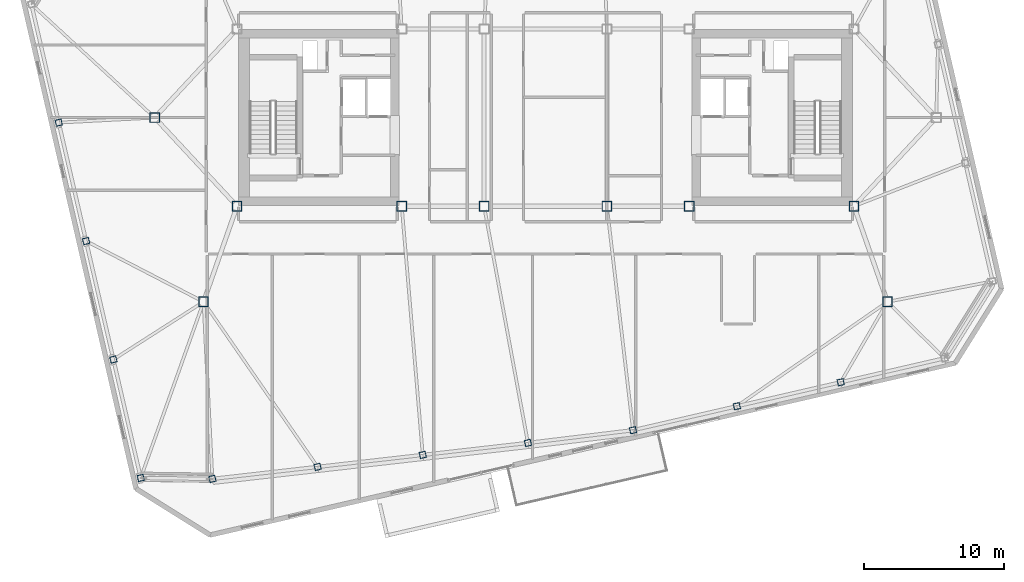
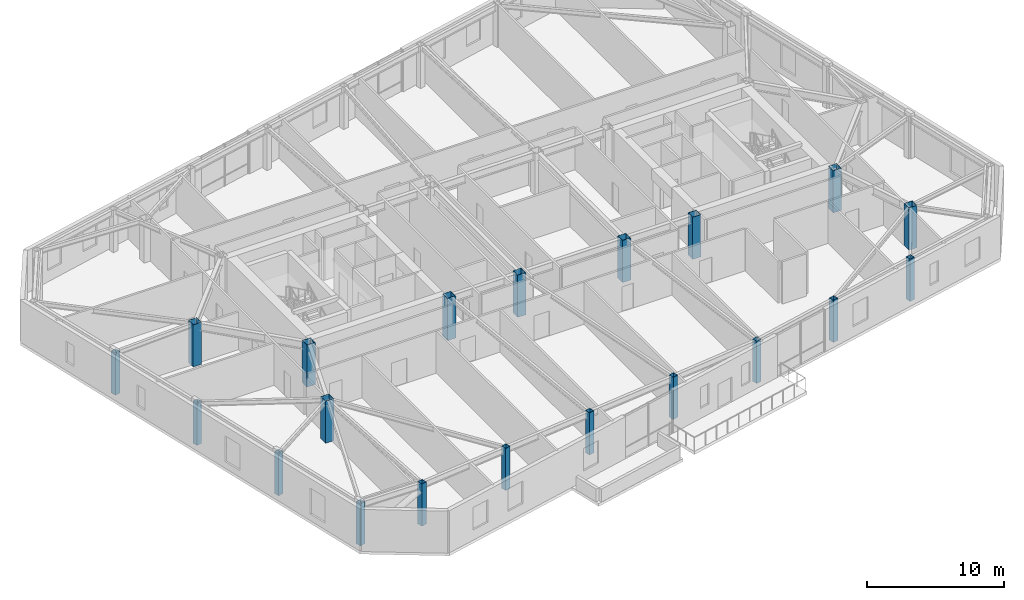
# One storey, part 1 of 23: 20 columns.
"""IFC4 building model written with IfcOpenShell, lengths in metres."""

from ifc_helpers import new_model, si_unit, direction, frame, origin, origin_2d, place, context, subcontext, project, spatial, hollow_rectangle, extrude, material, material_profile, profile_set, type_object, element, save


model = new_model("IFC4")

# Units and contexts
model_context = context("Model", 3, precision=1e-05, world=origin(), true_north=direction((0.0, 1.0)))
body_context = subcontext(model_context, "Body", "Model", "MODEL_VIEW")
ifc_project = project(units=[si_unit("LENGTHUNIT", "METRE"), si_unit("AREAUNIT", "SQUARE_METRE"), si_unit("VOLUMEUNIT", "CUBIC_METRE"), si_unit("PLANEANGLEUNIT", "RADIAN"), si_unit("MASSUNIT", "GRAM", prefix="KILO")], contexts=[model_context])

# Site, building, storey
site_placement = place(None, origin())
site = spatial("IfcSite", under=ifc_project, at=site_placement, CompositionType="ELEMENT")
building_placement = place(site_placement, origin())
building = spatial("IfcBuilding", under=site, at=building_placement, Name="Tavrogorsk Clinical Tower", CompositionType="ELEMENT")
storey_placement = place(building_placement, frame((0.0, 0.0, 289.0)))
storey = spatial("IfcBuildingStorey", under=building, at=storey_placement, Name="L67", CompositionType="ELEMENT", Elevation=289.0)

# Columns
ifc_material_1 = material(Name="Structural steel S440", Category="steel")
ifc_material_profile_1 = material_profile(ifc_material_1, hollow_rectangle(XDim=0.699951171875, YDim=0.699951171875, WallThickness=0.031982421875, at=origin_2d()), Name="BOX-700x700x32")
ifc_profile_set_1 = profile_set([ifc_material_profile_1], Name="Structural steel S440")
column_type_1 = type_object("IfcColumnType", Name="MegaCol_BOX700", PredefinedType="COLUMN", material=ifc_profile_set_1)
for number, where, z_axis, x_axis, name in (
    (1, (-22.10009765625, -6.35009765625, 0.0), (0.0, 0.0, 1.0), (1.0, 0.0, 0.0), "L67 Mega Column MC-W1"),
    (2, (-10.300048828125, -6.35009765625, 0.0), (0.0, 0.0, 1.0), (1.0, 0.0, 0.0), "L67 Mega Column MC-W3"),
    (3, (10.300048828125, -6.35009765625, 0.0), (0.0, 0.0, 1.0), (1.0, 0.0, 0.0), "L67 Mega Column MC-E1"),
    (4, (22.10009765625, -6.35009765625, 0.0), (0.0, 0.0, 1.0), (1.0, 0.0, 0.0), "L67 Mega Column MC-E3"),
    (5, (-4.39990234375, -6.35009765625, 0.0), (0.0, 0.0, 1.0), (1.0, 0.0, 0.0), "L67 Mega Column MC-C1"),
    (6, (4.39990234375, -6.35009765625, 0.0), (0.0, 0.0, 1.0), (1.0, 0.0, 0.0), "L67 Mega Column MC-C2"),
    (7, (-24.5, -13.199951171875, 0.0), (0.0, 0.0, 1.0), (1.0, 0.0, 0.0), "L67 Spine Pilotis Column MC-P1"),
    (8, (24.5, -13.199951171875, 0.0), (0.0, 0.0, 1.0), (1.0, 0.0, 0.0), "L67 Spine Pilotis Column MC-P2"),
    (9, (-28.0, 0.0, 0.0), (0.0, 0.0, 1.0), (1.0, 0.0, 0.0), "L67 Spine Pilotis Column MC-P5"),
):
    element("IfcColumn", number, at=place(storey_placement, frame(where, z_axis=z_axis, x_axis=x_axis)), inside=storey, type_object=column_type_1, Name=name, PredefinedType="COLUMN", context=body_context, shape_type="SweptSolid", body=[
        extrude(hollow_rectangle(XDim=0.699951171875, YDim=0.699951171875, WallThickness=0.031982421875, at=origin_2d()), origin(), (0.0, 0.0, 1.0), 3.739990234375),
    ])
ifc_material_2 = material(Name="Structural steel S440", Category="steel")
ifc_material_profile_2 = material_profile(ifc_material_2, hollow_rectangle(XDim=0.449951171875, YDim=0.449951171875, WallThickness=0.02197265625, at=origin_2d()), Name="BOX-450x450x22")
ifc_profile_set_2 = profile_set([ifc_material_profile_2], Name="Structural steel S440")
column_type_2 = type_object("IfcColumnType", Name="PerimCol_B5_BOX450", PredefinedType="COLUMN", material=ifc_profile_set_2)
for number, where, z_axis, x_axis, name in (
    (10, (-23.866943359375, -25.8857421875, 0.0), (0.0, 0.0, 1.0), (0.974370064785, 0.224951054344, 0.0), "L67 Perimeter Column S1"),
    (11, (-16.330322265625, -25.027099609375, 0.0), (0.0, 0.0, 1.0), (0.974370064785, 0.224951054344, 0.0), "L67 Perimeter Column S2"),
    (12, (-8.7939453125, -24.16845703125, 0.0), (0.0, 0.0, 1.0), (0.974370064785, 0.224951054344, 0.0), "L67 Perimeter Column S3"),
    (13, (-1.257568359375, -23.309814453125, 0.0), (0.0, 0.0, 1.0), (0.974370064785, 0.224951054344, 0.0), "L67 Perimeter Column S4"),
    (14, (6.272705078125, -22.39697265625, 0.0), (0.0, 0.0, 1.0), (0.974370064785, 0.224951054344, 0.0), "L67 Perimeter Column S5"),
    (15, (13.711181640625, -20.6796875, 0.0), (0.0, 0.0, 1.0), (0.974370064785, 0.224951054344, 0.0), "L67 Perimeter Column S6"),
    (16, (21.14990234375, -18.96240234375, 0.0), (0.0, 0.0, 1.0), (0.974370064785, 0.224951054344, 0.0), "L67 Perimeter Column S7"),
    (17, (-34.876708984375, -0.358642578125, 0.0), (0.0, 0.0, 1.0), (0.974370064785, 0.224951054344, 0.0), "L67 Perimeter Column W2"),
    (18, (-32.917236328125, -8.845458984375, 0.0), (0.0, 0.0, 1.0), (0.974370064785, 0.224951054344, 0.0), "L67 Perimeter Column W3"),
    (19, (-30.9580078125, -17.332275390625, 0.0), (0.0, 0.0, 1.0), (0.974370064785, 0.224951054344, 0.0), "L67 Perimeter Column W4"),
    (20, (-28.99853515625, -25.819091796875, 0.0), (0.0, 0.0, 1.0), (0.974370064785, 0.224951054344, 0.0), "L67 Perimeter Column W5"),
):
    element("IfcColumn", number, at=place(storey_placement, frame(where, z_axis=z_axis, x_axis=x_axis)), inside=storey, type_object=column_type_2, Name=name, PredefinedType="COLUMN", context=body_context, shape_type="SweptSolid", body=[
        extrude(hollow_rectangle(XDim=0.449951171875, YDim=0.449951171875, WallThickness=0.02197265625, at=origin_2d()), origin(), (0.0, 0.0, 1.0), 3.739990234375),
    ])

save(model, "model.ifc")
